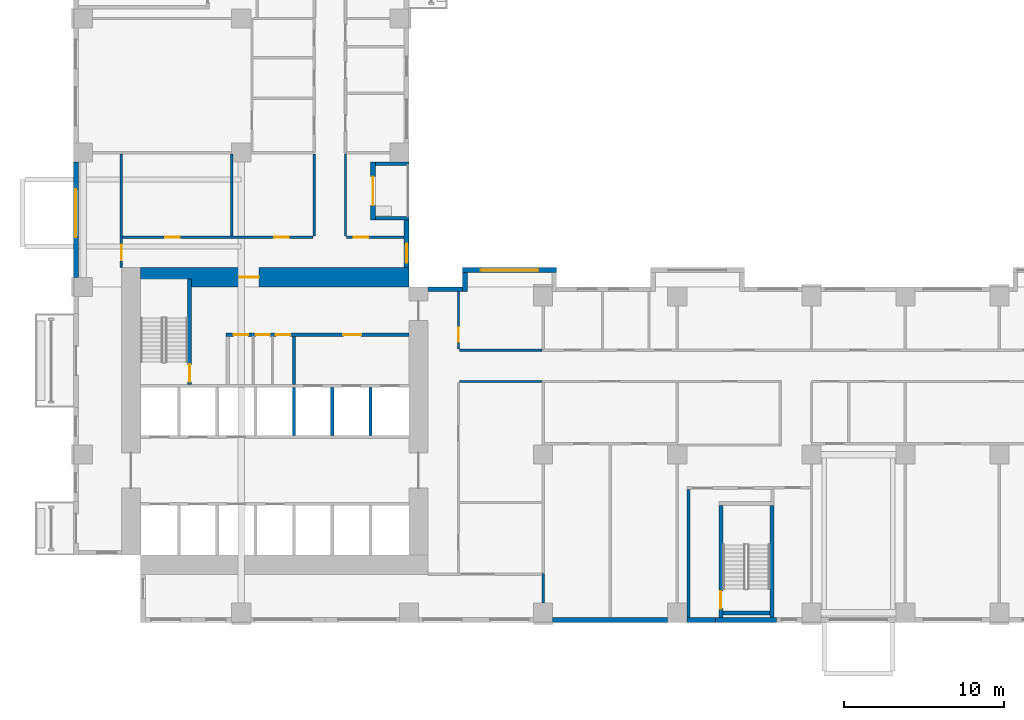
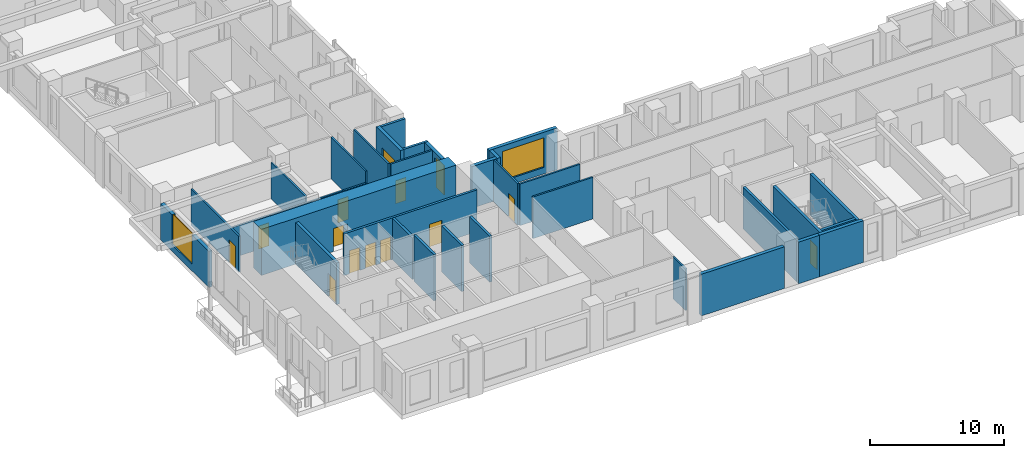
# One storey, part 3 of 14: 32 walls, 13 doors, 3 windows, 16 openings.
"""IFC4 building model written with IfcOpenShell, lengths in metres."""

from ifc_helpers import new_model, si_unit, direction, frame, frame_2d, origin, place, context, subcontext, project, spatial, rectangle, extrude, source, transform, mapped, material, layer, layer_set, type_object, element, fill, save


model = new_model("IFC4")

# Units and contexts
model_context = context("Model", 3, precision=1e-05, world=origin(), true_north=direction((0.0, 1.0)))
body_context = subcontext(model_context, "Body", "Model", "MODEL_VIEW")
ifc_project = project(units=[si_unit("LENGTHUNIT", "METRE"), si_unit("AREAUNIT", "SQUARE_METRE"), si_unit("VOLUMEUNIT", "CUBIC_METRE"), si_unit("PLANEANGLEUNIT", "RADIAN"), si_unit("MASSUNIT", "GRAM", prefix="KILO")], contexts=[model_context])

# Site, building, storey
site_placement = place(None, origin())
site = spatial("IfcSite", under=ifc_project, at=site_placement, CompositionType="ELEMENT")
building_placement = place(site_placement, origin())
building = spatial("IfcBuilding", under=site, at=building_placement, Name="Aurelian Terraces", CompositionType="ELEMENT")
storey_placement = place(building_placement, frame((0.0, 0.0, 40.5)))
storey = spatial("IfcBuildingStorey", under=building, at=storey_placement, Name="L07", CompositionType="ELEMENT", Elevation=40.5)

# Wall, openings, doors
ifc_material_1 = material(Name="Gypsum board on steel studs", Category="steel")
ifc_layer_1 = layer(ifc_material_1, 0.2)
ifc_layer_set_1 = layer_set([ifc_layer_1], Name="Core partition 200")
wall_type_1 = type_object("IfcWallType", Name="Core partition 200", PredefinedType="PARTITIONING", material=ifc_layer_set_1)
wall_1_placement = place(storey_placement, frame((9.55, 18.0, 0.0), z_axis=(0.0, 0.0, 1.0), x_axis=(1.0, 0.0, 0.0)))
wall_1 = element("IfcWall", 1, at=wall_1_placement, inside=storey, type_object=wall_type_1, Name="L07 core wall CP-NORTH", PredefinedType="PARTITIONING", context=body_context, shape_type="SweptSolid", body=[
    extrude(rectangle(XDim=11.45, YDim=0.2, at=frame_2d((5.725, 0.0))), origin(), (0.0, 0.0, 1.0), 3.8),
])
shared_shape_1 = source(origin(), body_context, "Body", "SweptSolid", [
    extrude(rectangle(XDim=0.9, YDim=2.1, at=frame_2d((0.45, 1.05))), frame((0.0, 0.11, 0.0), z_axis=(0.0, -1.0, 0.0), x_axis=(1.0, 0.0, 0.0)), (0.0, 0.0, 1.0), 0.22),
])
opening_1_placement = place(wall_1_placement, frame((0.475, 0.0, 0.0)))
opening_1 = element("IfcOpeningElement", 2, at=opening_1_placement, cuts=wall_1, Name="Opening 61011", PredefinedType="OPENING", context=body_context, shape_type="MappedRepresentation", body=[
    mapped(shared_shape_1, transform((0.0, 0.0, 0.0), scale=1.0)),
])
opening_2_placement = place(wall_1_placement, frame((1.85, 0.0, 0.0)))
opening_2 = element("IfcOpeningElement", 3, at=opening_2_placement, cuts=wall_1, Name="Opening 61012", PredefinedType="OPENING", context=body_context, shape_type="MappedRepresentation", body=[
    mapped(shared_shape_1, transform((0.0, 0.0, 0.0), scale=1.0)),
])
opening_3_placement = place(wall_1_placement, frame((3.125, 0.0, 0.0)))
opening_3 = element("IfcOpeningElement", 4, at=opening_3_placement, cuts=wall_1, Name="Opening 61013", PredefinedType="OPENING", context=body_context, shape_type="MappedRepresentation", body=[
    mapped(shared_shape_1, transform((0.0, 0.0, 0.0), scale=1.0)),
])
shared_shape_2 = source(origin(), body_context, "Body", "SweptSolid", [
    extrude(rectangle(XDim=1.1, YDim=2.1, at=frame_2d((0.55, 1.05))), frame((0.0, 0.11, 0.0), z_axis=(0.0, -1.0, 0.0), x_axis=(1.0, 0.0, 0.0)), (0.0, 0.0, 1.0), 0.22),
])
opening_4_placement = place(wall_1_placement, frame((7.35, 0.0, 0.0)))
opening_4 = element("IfcOpeningElement", 5, at=opening_4_placement, cuts=wall_1, Name="Opening 61014", PredefinedType="OPENING", context=body_context, shape_type="MappedRepresentation", body=[
    mapped(shared_shape_2, transform((0.0, 0.0, 0.0), scale=1.0)),
])
ifc_material_2 = material(Name="Steel door leaf", Category="steel")
door_type_1 = type_object("IfcDoorType", Name="Core service door 900x2100 right", OperationType="SINGLE_SWING_RIGHT", PredefinedType="DOOR", material=ifc_material_2)
shared_shape_3 = source(origin(), body_context, "Body", "SweptSolid", [
    extrude(rectangle(XDim=0.9, YDim=2.1, at=frame_2d((0.45, 1.05))), frame((0.0, 0.025, 0.0), z_axis=(0.0, -1.0, 0.0), x_axis=(1.0, 0.0, 0.0)), (0.0, 0.0, 1.0), 0.05),
])
door_1_placement = place(opening_1_placement, origin())
door_1 = element("IfcDoor", 6, at=door_1_placement, inside=storey, type_object=door_type_1, Name="Room door 61011", OperationType="SINGLE_SWING_RIGHT", OverallHeight=2.1, OverallWidth=0.9, PredefinedType="DOOR", context=body_context, shape_type="MappedRepresentation", body=[
    mapped(shared_shape_3, transform((0.0, 0.0, 0.0), scale=1.0)),
])
fill(opening_1, door_1)
door_type_2 = type_object("IfcDoorType", Name="Core riser door 900x2100", OperationType="SINGLE_SWING_LEFT", PredefinedType="DOOR", material=ifc_material_2)
door_2_placement = place(opening_2_placement, origin())
door_2 = element("IfcDoor", 7, at=door_2_placement, inside=storey, type_object=door_type_2, Name="Room door 61012", OperationType="SINGLE_SWING_LEFT", OverallHeight=2.1, OverallWidth=0.9, PredefinedType="DOOR", context=body_context, shape_type="MappedRepresentation", body=[
    mapped(shared_shape_3, transform((0.0, 0.0, 0.0), scale=1.0)),
])
fill(opening_2, door_2)
door_3_placement = place(opening_3_placement, origin())
door_3 = element("IfcDoor", 8, at=door_3_placement, inside=storey, type_object=door_type_1, Name="Room door 61013", OperationType="SINGLE_SWING_RIGHT", OverallHeight=2.1, OverallWidth=0.9, PredefinedType="DOOR", context=body_context, shape_type="MappedRepresentation", body=[
    mapped(shared_shape_3, transform((0.0, 0.0, 0.0), scale=1.0)),
])
fill(opening_3, door_3)
door_type_3 = type_object("IfcDoorType", Name="Core fire door 1100x2100", OperationType="SINGLE_SWING_LEFT", PredefinedType="DOOR", material=ifc_material_2)
shared_shape_4 = source(origin(), body_context, "Body", "SweptSolid", [
    extrude(rectangle(XDim=1.1, YDim=2.1, at=frame_2d((0.55, 1.05))), frame((0.0, 0.025, 0.0), z_axis=(0.0, -1.0, 0.0), x_axis=(1.0, 0.0, 0.0)), (0.0, 0.0, 1.0), 0.05),
])
door_4_placement = place(opening_4_placement, origin())
door_4 = element("IfcDoor", 9, at=door_4_placement, inside=storey, type_object=door_type_3, Name="Ff lobby door 61014", OperationType="SINGLE_SWING_LEFT", OverallHeight=2.1, OverallWidth=1.1, PredefinedType="DOOR", context=body_context, shape_type="MappedRepresentation", body=[
    mapped(shared_shape_4, transform((0.0, 0.0, 0.0), scale=1.0)),
])
fill(opening_4, door_4)

# Walls
wall_2_placement = place(storey_placement, frame((38.5, 0.3, 0.0), z_axis=(0.0, 0.0, 1.0), x_axis=(0.0, 1.0, 0.0)))
element("IfcWall", 10, at=wall_2_placement, inside=storey, type_object=wall_type_1, Name="L07 core wall ST-S2-VW", PredefinedType="PARTITIONING", context=body_context, shape_type="SweptSolid", body=[
    extrude(rectangle(XDim=8.0, YDim=0.2, at=frame_2d((4.0, 0.0))), origin(), (0.0, 0.0, 1.0), 3.8),
])
ifc_material_3 = material(Name="Terracotta rainscreen cladding", Category="masonry")
ifc_layer_2 = layer(ifc_material_3, 0.2)
ifc_layer_set_2 = layer_set([ifc_layer_2], Name="EW-200")
wall_type_2 = type_object("IfcWallType", Name="EW-200", PredefinedType="STANDARD", material=ifc_layer_set_2)
wall_3_placement = place(storey_placement, frame((21.0, 25.3, 0.0), z_axis=(0.0, 0.0, 1.0), x_axis=(-1.0, 0.0, 0.0)))
element("IfcWall", 11, at=wall_3_placement, inside=storey, type_object=wall_type_2, Name="Loggia return L07 F08.29.1", PredefinedType="STANDARD", context=body_context, shape_type="SweptSolid", body=[
    extrude(rectangle(XDim=2.1, YDim=0.2, at=frame_2d((1.05, 0.0))), origin(), (0.0, 0.0, 1.0), 3.8),
])
ifc_layer_3 = layer(ifc_material_3, 0.3)
ifc_layer_set_3 = layer_set([ifc_layer_3], Name="EW-300")
wall_type_3 = type_object("IfcWallType", Name="EW-300", PredefinedType="STANDARD", material=ifc_layer_set_3)
wall_4_placement = place(storey_placement, frame((38.4, 0.15, 0.0), z_axis=(0.0, 0.0, 1.0), x_axis=(1.0, 0.0, 0.0)))
element("IfcWall", 12, at=wall_4_placement, inside=storey, type_object=wall_type_3, Name="External wall L07 F01.7", PredefinedType="STANDARD", context=body_context, shape_type="SweptSolid", body=[
    extrude(rectangle(XDim=1.8, YDim=0.3, at=frame_2d((0.9, 0.0))), origin(), (0.0, 0.0, 1.0), 3.8),
])
wall_5_placement = place(storey_placement, frame((24.36, 20.85, 0.0), z_axis=(0.0, 0.0, 1.0), x_axis=(-1.0, 0.0, 0.0)))
element("IfcWall", 13, at=wall_5_placement, inside=storey, type_object=wall_type_3, Name="External wall L07 F07.27", PredefinedType="STANDARD", context=body_context, shape_type="SweptSolid", body=[
    extrude(rectangle(XDim=2.16, YDim=0.3, at=frame_2d((1.08, 0.0))), origin(), (0.0, 0.0, 1.0), 3.8),
])

# Wall, opening, window
wall_6_placement = place(storey_placement, frame((20.85, 22.2, 0.0), z_axis=(0.0, 0.0, 1.0), x_axis=(0.0, 1.0, 0.0)))
wall_6 = element("IfcWall", 14, at=wall_6_placement, inside=storey, type_object=wall_type_3, Name="External wall L07 F08.28", PredefinedType="STANDARD", context=body_context, shape_type="SweptSolid", body=[
    extrude(rectangle(XDim=3.0, YDim=0.3, at=frame_2d((1.5, 0.0))), origin(), (0.0, 0.0, 1.0), 3.8),
])
shared_shape_5 = source(origin(), body_context, "Body", "SweptSolid", [
    extrude(rectangle(XDim=1.2, YDim=2.7, at=frame_2d((0.6, 1.35))), frame((0.0, 0.16, 0.0), z_axis=(0.0, -1.0, 0.0), x_axis=(1.0, 0.0, 0.0)), (0.0, 0.0, 1.0), 0.32),
])
opening_5_placement = place(wall_6_placement, frame((0.3, 0.0, 0.6)))
opening_5 = element("IfcOpeningElement", 15, at=opening_5_placement, cuts=wall_6, Name="Opening W1227", PredefinedType="OPENING", context=body_context, shape_type="MappedRepresentation", body=[
    mapped(shared_shape_5, transform((0.0, 0.0, 0.0), scale=1.0)),
])
ifc_material_4 = material(Name="Clear glazing", Category="glass")
window_type_1 = type_object("IfcWindowType", Name="W-1200x2700", PartitioningType="SINGLE_PANEL", PredefinedType="WINDOW", material=ifc_material_4)
shared_shape_6 = source(origin(), body_context, "Body", "SweptSolid", [
    extrude(rectangle(XDim=1.2, YDim=2.7, at=frame_2d((0.6, 1.35))), frame((0.0, 0.03, 0.0), z_axis=(0.0, -1.0, 0.0), x_axis=(1.0, 0.0, 0.0)), (0.0, 0.0, 1.0), 0.06),
])
window_1_placement = place(opening_5_placement, origin())
window_1 = element("IfcWindow", 16, at=window_1_placement, inside=storey, type_object=window_type_1, Name="Window L07 L07-F08-28-0", OverallHeight=2.7, OverallWidth=1.2, PartitioningType="SINGLE_PANEL", PredefinedType="WINDOW", context=body_context, shape_type="MappedRepresentation", body=[
    mapped(shared_shape_6, transform((0.0, 0.0, 0.0), scale=1.0)),
])
fill(opening_5, window_1)

wall_7_placement = place(storey_placement, frame((0.15, 28.8, 0.0), z_axis=(0.0, 0.0, 1.0), x_axis=(0.0, -1.0, 0.0)))
wall_7 = element("IfcWall", 17, at=wall_7_placement, inside=storey, type_object=wall_type_3, Name="External wall L07 F14.44", PredefinedType="STANDARD", context=body_context, shape_type="SweptSolid", body=[
    extrude(rectangle(XDim=7.2, YDim=0.3, at=frame_2d((3.6, 0.0))), origin(), (0.0, 0.0, 1.0), 3.3),
])
shared_shape_7 = source(origin(), body_context, "Body", "SweptSolid", [
    extrude(rectangle(XDim=3.0, YDim=2.7, at=frame_2d((1.5, 1.35))), frame((0.0, 0.16, 0.0), z_axis=(0.0, -1.0, 0.0), x_axis=(1.0, 0.0, 0.0)), (0.0, 0.0, 1.0), 0.32),
])
opening_6_placement = place(wall_7_placement, frame((1.68, 0.0, 0.6)))
opening_6 = element("IfcOpeningElement", 18, at=opening_6_placement, cuts=wall_7, Name="Opening W3027", PredefinedType="OPENING", context=body_context, shape_type="MappedRepresentation", body=[
    mapped(shared_shape_7, transform((0.0, 0.0, 0.0), scale=1.0)),
])
window_type_2 = type_object("IfcWindowType", Name="W-3000x2700", PartitioningType="SINGLE_PANEL", PredefinedType="WINDOW", material=ifc_material_4)
shared_shape_8 = source(origin(), body_context, "Body", "SweptSolid", [
    extrude(rectangle(XDim=3.0, YDim=2.7, at=frame_2d((1.5, 1.35))), frame((0.0, 0.03, 0.0), z_axis=(0.0, -1.0, 0.0), x_axis=(1.0, 0.0, 0.0)), (0.0, 0.0, 1.0), 0.06),
])
window_2_placement = place(opening_6_placement, origin())
window_2 = element("IfcWindow", 19, at=window_2_placement, inside=storey, type_object=window_type_2, Name="Window L07 L07-F14-44-8", OverallHeight=2.7, OverallWidth=3.0, PartitioningType="SINGLE_PANEL", PredefinedType="WINDOW", context=body_context, shape_type="MappedRepresentation", body=[
    mapped(shared_shape_8, transform((0.0, 0.0, 0.0), scale=1.0)),
])
fill(opening_6, window_2)

# Wall, opening, door
ifc_layer_4 = layer(ifc_material_1, 0.15)
ifc_layer_set_4 = layer_set([ifc_layer_4], Name="Partition 150")
wall_type_4 = type_object("IfcWallType", Name="Partition 150", PredefinedType="PARTITIONING", material=ifc_layer_set_4)
wall_8_placement = place(storey_placement, frame((24.1, 20.7, 0.0), z_axis=(0.0, 0.0, 1.0), x_axis=(0.0, -1.0, 0.0)))
wall_8 = element("IfcWall", 20, at=wall_8_placement, inside=storey, type_object=wall_type_4, Name="Partition", PredefinedType="PARTITIONING", context=body_context, shape_type="SweptSolid", body=[
    extrude(rectangle(XDim=3.6, YDim=0.15, at=frame_2d((1.8, 0.0))), origin(), (0.0, 0.0, 1.0), 3.8),
])
shared_shape_9 = source(origin(), body_context, "Body", "SweptSolid", [
    extrude(rectangle(XDim=0.9, YDim=2.1, at=frame_2d((0.45, 1.05))), frame((0.0, 0.085, 0.0), z_axis=(0.0, -1.0, 0.0), x_axis=(1.0, 0.0, 0.0)), (0.0, 0.0, 1.0), 0.17),
])
opening_7_placement = place(wall_8_placement, frame((2.25, 0.0, 0.0)))
opening_7 = element("IfcOpeningElement", 21, at=opening_7_placement, cuts=wall_8, Name="Opening 707003", PredefinedType="OPENING", context=body_context, shape_type="MappedRepresentation", body=[
    mapped(shared_shape_9, transform((0.0, 0.0, 0.0), scale=1.0)),
])
ifc_material_5 = material(Name="Timber door leaf", Category="wood")
door_type_4 = type_object("IfcDoorType", Name="Room door 900x2100 left", OperationType="SINGLE_SWING_LEFT", PredefinedType="DOOR", material=ifc_material_5)
door_5_placement = place(opening_7_placement, origin())
door_5 = element("IfcDoor", 22, at=door_5_placement, inside=storey, type_object=door_type_4, Name="Door 707003", OperationType="SINGLE_SWING_LEFT", OverallHeight=2.1, OverallWidth=0.9, PredefinedType="DOOR", context=body_context, shape_type="MappedRepresentation", body=[
    mapped(shared_shape_3, transform((0.0, 0.0, 0.0), scale=1.0)),
])
fill(opening_7, door_5)

# Wall
wall_9_placement = place(storey_placement, frame((29.4, 1.199, 0.0), z_axis=(0.0, 0.0, 1.0), x_axis=(0.0, 1.0, 0.0)))
element("IfcWall", 23, at=wall_9_placement, inside=storey, type_object=wall_type_4, Name="Partition", PredefinedType="PARTITIONING", context=body_context, shape_type="SweptSolid", body=[
    extrude(rectangle(XDim=1.856, YDim=0.15, at=frame_2d((0.928, 0.0))), origin(), (0.0, 0.0, 1.0), 3.8),
])

# Wall, openings, doors
wall_10_placement = place(storey_placement, frame((3.075, 24.1, 0.0), z_axis=(0.0, 0.0, 1.0), x_axis=(1.0, 0.0, 0.0)))
wall_10 = element("IfcWall", 24, at=wall_10_placement, inside=storey, type_object=wall_type_4, Name="Partition", PredefinedType="PARTITIONING", context=body_context, shape_type="SweptSolid", body=[
    extrude(rectangle(XDim=11.925, YDim=0.15, at=frame_2d((5.9625, 0.0))), origin(), (0.0, 0.0, 1.0), 2.8),
])
opening_8_placement = place(wall_10_placement, frame((2.6625, 0.0, 0.0)))
opening_8 = element("IfcOpeningElement", 25, at=opening_8_placement, cuts=wall_10, Name="Opening 707028", PredefinedType="OPENING", context=body_context, shape_type="MappedRepresentation", body=[
    mapped(shared_shape_9, transform((0.0, 0.0, 0.0), scale=1.0)),
])
opening_9_placement = place(wall_10_placement, frame((9.5, 0.0, 0.0)))
opening_9 = element("IfcOpeningElement", 26, at=opening_9_placement, cuts=wall_10, Name="Opening 707029", PredefinedType="OPENING", context=body_context, shape_type="MappedRepresentation", body=[
    mapped(shared_shape_9, transform((0.0, 0.0, 0.0), scale=1.0)),
])
door_6_placement = place(opening_8_placement, origin())
door_6 = element("IfcDoor", 27, at=door_6_placement, inside=storey, type_object=door_type_4, Name="Door 707028", OperationType="SINGLE_SWING_LEFT", OverallHeight=2.1, OverallWidth=0.9, PredefinedType="DOOR", context=body_context, shape_type="MappedRepresentation", body=[
    mapped(shared_shape_3, transform((0.0, 0.0, 0.0), scale=1.0)),
])
fill(opening_8, door_6)
door_type_5 = type_object("IfcDoorType", Name="Room door 900x2100 right", OperationType="SINGLE_SWING_RIGHT", PredefinedType="DOOR", material=ifc_material_5)
door_7_placement = place(opening_9_placement, origin())
door_7 = element("IfcDoor", 28, at=door_7_placement, inside=storey, type_object=door_type_5, Name="Door 707029", OperationType="SINGLE_SWING_RIGHT", OverallHeight=2.1, OverallWidth=0.9, PredefinedType="DOOR", context=body_context, shape_type="MappedRepresentation", body=[
    mapped(shared_shape_3, transform((0.0, 0.0, 0.0), scale=1.0)),
])
fill(opening_9, door_7)

# Wall
wall_11_placement = place(storey_placement, frame((9.9, 24.175, 0.0), z_axis=(0.0, 0.0, 1.0), x_axis=(0.0, 1.0, 0.0)))
element("IfcWall", 29, at=wall_11_placement, inside=storey, type_object=wall_type_4, Name="Partition", PredefinedType="PARTITIONING", context=body_context, shape_type="SweptSolid", body=[
    extrude(rectangle(XDim=5.15, YDim=0.15, at=frame_2d((2.575, 0.0))), origin(), (0.0, 0.0, 1.0), 3.3),
])

# Wall, opening, door
wall_12_placement = place(storey_placement, frame((3.0, 29.325, 0.0), z_axis=(0.0, 0.0, 1.0), x_axis=(0.0, -1.0, 0.0)))
wall_12 = element("IfcWall", 30, at=wall_12_placement, inside=storey, type_object=wall_type_4, Name="Partition", PredefinedType="PARTITIONING", context=body_context, shape_type="SweptSolid", body=[
    extrude(rectangle(XDim=7.125, YDim=0.15, at=frame_2d((3.5625, 0.0))), origin(), (0.0, 0.0, 1.0), 3.3),
])
shared_shape_10 = source(origin(), body_context, "Body", "SweptSolid", [
    extrude(rectangle(XDim=1.0, YDim=2.1, at=frame_2d((0.5, 1.05))), frame((0.0, 0.085, 0.0), z_axis=(0.0, -1.0, 0.0), x_axis=(1.0, 0.0, 0.0)), (0.0, 0.0, 1.0), 0.17),
])
opening_10_placement = place(wall_12_placement, frame((5.675, 0.0, 0.0)))
opening_10 = element("IfcOpeningElement", 31, at=opening_10_placement, cuts=wall_12, Name="Opening 707031", PredefinedType="OPENING", context=body_context, shape_type="MappedRepresentation", body=[
    mapped(shared_shape_10, transform((0.0, 0.0, 0.0), scale=1.0)),
])
door_type_6 = type_object("IfcDoorType", Name="Room door 1000x2100 right", OperationType="SINGLE_SWING_RIGHT", PredefinedType="DOOR", material=ifc_material_5)
shared_shape_11 = source(origin(), body_context, "Body", "SweptSolid", [
    extrude(rectangle(XDim=1.0, YDim=2.1, at=frame_2d((0.5, 1.05))), frame((0.0, 0.025, 0.0), z_axis=(0.0, -1.0, 0.0), x_axis=(1.0, 0.0, 0.0)), (0.0, 0.0, 1.0), 0.05),
])
door_8_placement = place(opening_10_placement, origin())
door_8 = element("IfcDoor", 32, at=door_8_placement, inside=storey, type_object=door_type_6, Name="Door 707031", OperationType="SINGLE_SWING_RIGHT", OverallHeight=2.1, OverallWidth=1.0, PredefinedType="DOOR", context=body_context, shape_type="MappedRepresentation", body=[
    mapped(shared_shape_11, transform((0.0, 0.0, 0.0), scale=1.0)),
])
fill(opening_10, door_8)

# Wall
ifc_material_6 = material(Name="Concrete fc' 40 MPa", Category="concrete")
ifc_layer_5 = layer(ifc_material_6, 0.3)
ifc_layer_set_5 = layer_set([ifc_layer_5], Name="STAIR BAY WALL 300")
wall_type_5 = type_object("IfcWallType", Name="STAIR BAY WALL 300", PredefinedType="SOLIDWALL", material=ifc_layer_set_5)
wall_13_placement = place(storey_placement, frame((40.2, 0.15, 0.0), z_axis=(0.0, 0.0, 1.0), x_axis=(1.0, 0.0, 0.0)))
element("IfcWall", 33, at=wall_13_placement, inside=storey, type_object=wall_type_5, Name="Stair bay wall L07 F01.7", PredefinedType="SOLIDWALL", context=body_context, shape_type="SweptSolid", body=[
    extrude(rectangle(XDim=3.8, YDim=0.3, at=frame_2d((1.9, 0.0))), origin(), (0.0, 0.0, 1.0), 3.8),
])

# Wall, opening, door
ifc_layer_6 = layer(ifc_material_6, 0.25)
ifc_layer_set_6 = layer_set([ifc_layer_6], Name="Stair enclosure wall 250")
wall_type_6 = type_object("IfcWallType", Name="Stair enclosure wall 250", PredefinedType="SOLIDWALL", material=ifc_layer_set_6)
wall_14_placement = place(storey_placement, frame((7.275, 14.9, 0.0), z_axis=(0.0, 0.0, 1.0), x_axis=(0.0, 1.0, 0.0)))
wall_14 = element("IfcWall", 34, at=wall_14_placement, inside=storey, type_object=wall_type_6, Name="L07 core wall ST-S1-E", PredefinedType="SOLIDWALL", context=body_context, shape_type="SweptSolid", body=[
    extrude(rectangle(XDim=6.6, YDim=0.25, at=frame_2d((3.3, 0.0))), origin(), (0.0, 0.0, 1.0), 3.8),
])
shared_shape_12 = source(origin(), body_context, "Body", "SweptSolid", [
    extrude(rectangle(XDim=1.1, YDim=2.1, at=frame_2d((0.55, 1.05))), frame((0.0, 0.135, 0.0), z_axis=(0.0, -1.0, 0.0), x_axis=(1.0, 0.0, 0.0)), (0.0, 0.0, 1.0), 0.27),
])
opening_11_placement = place(wall_14_placement, frame((0.15, 0.0, 0.0)))
opening_11 = element("IfcOpeningElement", 35, at=opening_11_placement, cuts=wall_14, Name="Opening 61010", PredefinedType="OPENING", context=body_context, shape_type="MappedRepresentation", body=[
    mapped(shared_shape_12, transform((0.0, 0.0, 0.0), scale=1.0)),
])
door_9_placement = place(opening_11_placement, origin())
door_9 = element("IfcDoor", 36, at=door_9_placement, inside=storey, type_object=door_type_3, Name="Stair door 61010", OperationType="SINGLE_SWING_LEFT", OverallHeight=2.1, OverallWidth=1.1, PredefinedType="DOOR", context=body_context, shape_type="MappedRepresentation", body=[
    mapped(shared_shape_4, transform((0.0, 0.0, 0.0), scale=1.0)),
])
fill(opening_11, door_9)

wall_15_placement = place(storey_placement, frame((40.525, 0.3, 0.0), z_axis=(0.0, 0.0, 1.0), x_axis=(0.0, 1.0, 0.0)))
wall_15 = element("IfcWall", 37, at=wall_15_placement, inside=storey, type_object=wall_type_6, Name="L07 core wall ST-S2-W", PredefinedType="SOLIDWALL", context=body_context, shape_type="SweptSolid", body=[
    extrude(rectangle(XDim=7.0, YDim=0.25, at=frame_2d((3.5, 0.0))), origin(), (0.0, 0.0, 1.0), 3.8),
])
opening_12_placement = place(wall_15_placement, frame((0.55, 0.0, 0.0)))
opening_12 = element("IfcOpeningElement", 38, at=opening_12_placement, cuts=wall_15, Name="Opening 61015", PredefinedType="OPENING", context=body_context, shape_type="MappedRepresentation", body=[
    mapped(shared_shape_12, transform((0.0, 0.0, 0.0), scale=1.0)),
])
door_type_7 = type_object("IfcDoorType", Name="Core fire door 1100x2100 right", OperationType="SINGLE_SWING_RIGHT", PredefinedType="DOOR", material=ifc_material_2)
door_10_placement = place(opening_12_placement, origin())
door_10 = element("IfcDoor", 39, at=door_10_placement, inside=storey, type_object=door_type_7, Name="Stair door 61015", OperationType="SINGLE_SWING_RIGHT", OverallHeight=2.1, OverallWidth=1.1, PredefinedType="DOOR", context=body_context, shape_type="MappedRepresentation", body=[
    mapped(shared_shape_4, transform((0.0, 0.0, 0.0), scale=1.0)),
])
fill(opening_12, door_10)

# Wall
wall_16_placement = place(storey_placement, frame((40.65, 0.575, 0.0), z_axis=(0.0, 0.0, 1.0), x_axis=(1.0, 0.0, 0.0)))
element("IfcWall", 40, at=wall_16_placement, inside=storey, type_object=wall_type_6, Name="L07 core wall ST-S2-SS", PredefinedType="SOLIDWALL", context=body_context, shape_type="SweptSolid", body=[
    extrude(rectangle(XDim=2.95, YDim=0.25, at=frame_2d((1.475, 0.0))), origin(), (0.0, 0.0, 1.0), 3.8),
])

# Wall, opening, door
ifc_material_7 = material(Name="Concrete fc' 83 MPa", Category="concrete")
ifc_layer_7 = layer(ifc_material_7, 1.2)
ifc_layer_set_7 = layer_set([ifc_layer_7], Name="CORE WALL 1200 FC83")
wall_type_7 = type_object("IfcWallType", Name="CORE WALL 1200 FC83", PredefinedType="SHEAR", material=ifc_layer_set_7)
shared_shape_13 = source(origin(), body_context, "Body", "SweptSolid", [
    extrude(rectangle(XDim=16.8, YDim=1.2, at=frame_2d((8.4, 0.0))), origin(), (0.0, 0.0, 1.0), 4.2),
])
wall_17_placement = place(storey_placement, frame((4.2, 21.6, 0.0), z_axis=(0.0, 0.0, 1.0), x_axis=(1.0, 0.0, 0.0)))
wall_17 = element("IfcWall", 41, at=wall_17_placement, inside=storey, type_object=wall_type_7, Name="Core wall N L07", PredefinedType="SHEAR", context=body_context, shape_type="MappedRepresentation", body=[
    mapped(shared_shape_13, transform((0.0, 0.0, 0.0), scale=1.0)),
])
shared_shape_14 = source(origin(), body_context, "Body", "SweptSolid", [
    extrude(rectangle(XDim=1.2, YDim=2.1, at=frame_2d((0.6, 1.05))), frame((0.0, 0.61, 0.0), z_axis=(0.0, -1.0, 0.0), x_axis=(1.0, 0.0, 0.0)), (0.0, 0.0, 1.0), 1.22),
])
opening_13_placement = place(wall_17_placement, frame((6.2, 0.0, 0.0)))
opening_13 = element("IfcOpeningElement", 42, at=opening_13_placement, cuts=wall_17, Name="Opening 61023", PredefinedType="OPENING", context=body_context, shape_type="MappedRepresentation", body=[
    mapped(shared_shape_14, transform((0.0, 0.0, 0.0), scale=1.0)),
])
door_type_8 = type_object("IfcDoorType", Name="Core fire door 1200x2100", OperationType="SINGLE_SWING_LEFT", PredefinedType="DOOR", material=ifc_material_2)
shared_shape_15 = source(origin(), body_context, "Body", "SweptSolid", [
    extrude(rectangle(XDim=1.2, YDim=2.1, at=frame_2d((0.6, 1.05))), frame((0.0, 0.025, 0.0), z_axis=(0.0, -1.0, 0.0), x_axis=(1.0, 0.0, 0.0)), (0.0, 0.0, 1.0), 0.05),
])
door_11_placement = place(opening_13_placement, origin())
door_11 = element("IfcDoor", 43, at=door_11_placement, inside=storey, type_object=door_type_8, Name="Core door 61023", OperationType="SINGLE_SWING_LEFT", OverallHeight=2.1, OverallWidth=1.2, PredefinedType="DOOR", context=body_context, shape_type="MappedRepresentation", body=[
    mapped(shared_shape_15, transform((0.0, 0.0, 0.0), scale=1.0)),
])
fill(opening_13, door_11)

# Walls
shared_shape_16 = source(origin(), body_context, "Body", "SweptSolid", [
    extrude(rectangle(XDim=7.2, YDim=0.3, at=frame_2d((3.6, 0.0))), origin(), (0.0, 0.0, 1.0), 3.8),
])
wall_18_placement = place(storey_placement, frame((30.0, 0.15, 0.0), z_axis=(0.0, 0.0, 1.0), x_axis=(1.0, 0.0, 0.0)))
element("IfcWall", 44, at=wall_18_placement, inside=storey, type_object=wall_type_3, Name="External wall L07 F01.6", PredefinedType="STANDARD", context=body_context, shape_type="MappedRepresentation", body=[
    mapped(shared_shape_16, transform((0.0, 0.0, 0.0), scale=1.0)),
])
shared_shape_17 = source(origin(), body_context, "Body", "SweptSolid", [
    extrude(rectangle(XDim=1.2, YDim=0.3, at=frame_2d((0.6, 0.0))), origin(), (0.0, 0.0, 1.0), 3.8),
])
wall_19_placement = place(storey_placement, frame((24.51, 20.7, 0.0), z_axis=(0.0, 0.0, 1.0), x_axis=(0.0, 1.0, 0.0)))
element("IfcWall", 45, at=wall_19_placement, inside=storey, type_object=wall_type_3, Name="Bay return L07 F07.26.2", PredefinedType="STANDARD", context=body_context, shape_type="MappedRepresentation", body=[
    mapped(shared_shape_17, transform((0.0, 0.0, 0.0), scale=1.0)),
])

# Wall, opening, window
shared_shape_18 = source(origin(), body_context, "Body", "SweptSolid", [
    extrude(rectangle(XDim=5.88, YDim=0.3, at=frame_2d((2.94, 0.0))), origin(), (0.0, 0.0, 1.0), 3.8),
])
wall_20_placement = place(storey_placement, frame((30.24, 22.05, 0.0), z_axis=(0.0, 0.0, 1.0), x_axis=(-1.0, 0.0, 0.0)))
wall_20 = element("IfcWall", 46, at=wall_20_placement, inside=storey, type_object=wall_type_3, Name="Bay wall L07 F07.26", PredefinedType="STANDARD", context=body_context, shape_type="MappedRepresentation", body=[
    mapped(shared_shape_18, transform((0.0, 0.0, 0.0), scale=1.0)),
])
shared_shape_19 = source(origin(), body_context, "Body", "SweptSolid", [
    extrude(rectangle(XDim=3.6, YDim=2.7, at=frame_2d((1.8, 1.35))), frame((0.0, 0.16, 0.0), z_axis=(0.0, -1.0, 0.0), x_axis=(1.0, 0.0, 0.0)), (0.0, 0.0, 1.0), 0.32),
])
opening_14_placement = place(wall_20_placement, frame((1.14, 0.0, 0.6)))
opening_14 = element("IfcOpeningElement", 47, at=opening_14_placement, cuts=wall_20, Name="Opening W3627", PredefinedType="OPENING", context=body_context, shape_type="MappedRepresentation", body=[
    mapped(shared_shape_19, transform((0.0, 0.0, 0.0), scale=1.0)),
])
window_type_3 = type_object("IfcWindowType", Name="W-3600x2700", PartitioningType="SINGLE_PANEL", PredefinedType="WINDOW", material=ifc_material_4)
shared_shape_20 = source(origin(), body_context, "Body", "SweptSolid", [
    extrude(rectangle(XDim=3.6, YDim=2.7, at=frame_2d((1.8, 1.35))), frame((0.0, 0.03, 0.0), z_axis=(0.0, -1.0, 0.0), x_axis=(1.0, 0.0, 0.0)), (0.0, 0.0, 1.0), 0.06),
])
window_3_placement = place(opening_14_placement, origin())
window_3 = element("IfcWindow", 48, at=window_3_placement, inside=storey, type_object=window_type_3, Name="Window L07 L07-F07-26-0", OverallHeight=2.7, OverallWidth=3.6, PartitioningType="SINGLE_PANEL", PredefinedType="WINDOW", context=body_context, shape_type="MappedRepresentation", body=[
    mapped(shared_shape_20, transform((0.0, 0.0, 0.0), scale=1.0)),
])
fill(opening_14, window_3)

# Wall, opening, door
shared_shape_21 = source(origin(), body_context, "Body", "SweptSolid", [
    extrude(rectangle(XDim=3.6, YDim=0.3, at=frame_2d((1.8, 0.0))), origin(), (0.0, 0.0, 1.0), 3.8),
])
wall_21_placement = place(storey_placement, frame((18.75, 25.2, 0.0), z_axis=(0.0, 0.0, 1.0), x_axis=(0.0, 1.0, 0.0)))
wall_21 = element("IfcWall", 49, at=wall_21_placement, inside=storey, type_object=wall_type_3, Name="Loggia wall L07 F08.29", PredefinedType="STANDARD", context=body_context, shape_type="MappedRepresentation", body=[
    mapped(shared_shape_21, transform((0.0, 0.0, 0.0), scale=1.0)),
])
shared_shape_22 = source(origin(), body_context, "Body", "SweptSolid", [
    extrude(rectangle(XDim=1.8, YDim=2.4, at=frame_2d((0.9, 1.2))), frame((0.0, 0.16, 0.0), z_axis=(0.0, -1.0, 0.0), x_axis=(1.0, 0.0, 0.0)), (0.0, 0.0, 1.0), 0.32),
])
opening_15_placement = place(wall_21_placement, frame((0.9, 0.0, 0.0)))
opening_15 = element("IfcOpeningElement", 50, at=opening_15_placement, cuts=wall_21, Name="Opening 80702", PredefinedType="OPENING", context=body_context, shape_type="MappedRepresentation", body=[
    mapped(shared_shape_22, transform((0.0, 0.0, 0.0), scale=1.0)),
])
door_type_9 = type_object("IfcDoorType", Name="BD-1800x2400", OperationType="SLIDING_TO_LEFT", PredefinedType="DOOR", material=ifc_material_4)
shared_shape_23 = source(origin(), body_context, "Body", "SweptSolid", [
    extrude(rectangle(XDim=1.8, YDim=2.4, at=frame_2d((0.9, 1.2))), frame((0.0, 0.025, 0.0), z_axis=(0.0, -1.0, 0.0), x_axis=(1.0, 0.0, 0.0)), (0.0, 0.0, 1.0), 0.05),
])
door_12_placement = place(opening_15_placement, origin())
door_12 = element("IfcDoor", 51, at=door_12_placement, inside=storey, type_object=door_type_9, Name="Balcony door L07 F08.29", OperationType="SLIDING_TO_LEFT", OverallHeight=2.4, OverallWidth=1.8, PredefinedType="DOOR", context=body_context, shape_type="MappedRepresentation", body=[
    mapped(shared_shape_23, transform((0.0, 0.0, 0.0), scale=1.0)),
])
fill(opening_15, door_12)

# Walls
shared_shape_24 = source(origin(), body_context, "Body", "SweptSolid", [
    extrude(rectangle(XDim=2.1, YDim=0.2, at=frame_2d((1.05, 0.0))), origin(), (0.0, 0.0, 1.0), 3.8),
])
wall_22_placement = place(storey_placement, frame((21.0, 28.7, 0.0), z_axis=(0.0, 0.0, 1.0), x_axis=(-1.0, 0.0, 0.0)))
element("IfcWall", 52, at=wall_22_placement, inside=storey, type_object=wall_type_2, Name="Loggia return L07 F08.29.2", PredefinedType="STANDARD", context=body_context, shape_type="MappedRepresentation", body=[
    mapped(shared_shape_24, transform((0.0, 0.0, 0.0), scale=1.0)),
])
ifc_layer_8 = layer(ifc_material_6, 0.2)
ifc_layer_set_8 = layer_set([ifc_layer_8], Name="Lift shaft wall 200")
wall_type_8 = type_object("IfcWallType", Name="Lift shaft wall 200", PredefinedType="SOLIDWALL", material=ifc_layer_set_8)
shared_shape_25 = source(origin(), body_context, "Body", "SweptSolid", [
    extrude(rectangle(XDim=3.0, YDim=0.2, at=frame_2d((1.5, 0.0))), origin(), (0.0, 0.0, 1.0), 4.2),
])
for number, where, z_axis, x_axis, name in (
    (53, (13.8, 11.7, 0.0), (0.0, 0.0, 1.0), (0.0, 1.0, 0.0), "L07 core wall CD-B4"),
    (54, (16.2, 11.7, 0.0), (0.0, 0.0, 1.0), (0.0, 1.0, 0.0), "L07 core wall CD-B5"),
    (55, (18.6, 11.7, 0.0), (0.0, 0.0, 1.0), (0.0, 1.0, 0.0), "L07 core wall CD-B6"),
):
    element("IfcWall", number, at=place(storey_placement, frame(where, z_axis=z_axis, x_axis=x_axis)), inside=storey, type_object=wall_type_8, Name=name, PredefinedType="SOLIDWALL", context=body_context, shape_type="MappedRepresentation", body=[
        mapped(shared_shape_25, transform((0.0, 0.0, 0.0), scale=1.0)),
    ])
shared_shape_26 = source(origin(), body_context, "Body", "SweptSolid", [
    extrude(rectangle(XDim=3.0, YDim=0.2, at=frame_2d((1.5, 0.0))), origin(), (0.0, 0.0, 1.0), 3.8),
])
wall_23_placement = place(storey_placement, frame((13.8, 14.9, 0.0), z_axis=(0.0, 0.0, 1.0), x_axis=(0.0, 1.0, 0.0)))
element("IfcWall", 56, at=wall_23_placement, inside=storey, type_object=wall_type_1, Name="L07 core wall CP-FFL", PredefinedType="PARTITIONING", context=body_context, shape_type="MappedRepresentation", body=[
    mapped(shared_shape_26, transform((0.0, 0.0, 0.0), scale=1.0)),
])
shared_shape_27 = source(origin(), body_context, "Body", "SweptSolid", [
    extrude(rectangle(XDim=7.0, YDim=0.25, at=frame_2d((3.5, 0.0))), origin(), (0.0, 0.0, 1.0), 3.8),
])
wall_24_placement = place(storey_placement, frame((43.725, 0.3, 0.0), z_axis=(0.0, 0.0, 1.0), x_axis=(0.0, 1.0, 0.0)))
element("IfcWall", 57, at=wall_24_placement, inside=storey, type_object=wall_type_6, Name="L07 core wall ST-S2-E", PredefinedType="SOLIDWALL", context=body_context, shape_type="MappedRepresentation", body=[
    mapped(shared_shape_27, transform((0.0, 0.0, 0.0), scale=1.0)),
])
ifc_layer_9 = layer(ifc_material_1, 0.15)
ifc_layer_set_9 = layer_set([ifc_layer_9], Name="Fire partition 150")
wall_type_9 = type_object("IfcWallType", Name="Fire partition 150", PredefinedType="PARTITIONING", material=ifc_layer_set_9)
shared_shape_28 = source(origin(), body_context, "Body", "SweptSolid", [
    extrude(rectangle(XDim=5.15, YDim=0.15, at=frame_2d((2.575, 0.0))), origin(), (0.0, 0.0, 1.0), 3.8),
])
for number, where, z_axis, x_axis, name in (
    (58, (29.325, 15.075, 0.0), (0.0, 0.0, 1.0), (-1.0, 0.0, 0.0), "Corridor wall"),
    (59, (24.175, 17.025, 0.0), (0.0, 0.0, 1.0), (1.0, 0.0, 0.0), "Corridor wall"),
    (60, (15.075, 24.175, 0.0), (0.0, 0.0, 1.0), (0.0, 1.0, 0.0), "Corridor wall"),
    (61, (17.025, 29.325, 0.0), (0.0, 0.0, 1.0), (0.0, -1.0, 0.0), "Corridor wall"),
):
    element("IfcWall", number, at=place(storey_placement, frame(where, z_axis=z_axis, x_axis=x_axis)), inside=storey, type_object=wall_type_9, Name=name, PredefinedType="PARTITIONING", context=body_context, shape_type="MappedRepresentation", body=[
        mapped(shared_shape_28, transform((0.0, 0.0, 0.0), scale=1.0)),
    ])

# Wall, opening, door
shared_shape_29 = source(origin(), body_context, "Body", "SweptSolid", [
    extrude(rectangle(XDim=3.6, YDim=0.15, at=frame_2d((1.8, 0.0))), origin(), (0.0, 0.0, 1.0), 3.8),
])
wall_25_placement = place(storey_placement, frame((17.1, 24.1, 0.0), z_axis=(0.0, 0.0, 1.0), x_axis=(1.0, 0.0, 0.0)))
wall_25 = element("IfcWall", 62, at=wall_25_placement, inside=storey, type_object=wall_type_4, Name="Partition", PredefinedType="PARTITIONING", context=body_context, shape_type="MappedRepresentation", body=[
    mapped(shared_shape_29, transform((0.0, 0.0, 0.0), scale=1.0)),
])
opening_16_placement = place(wall_25_placement, frame((0.45, 0.0, 0.0)))
opening_16 = element("IfcOpeningElement", 63, at=opening_16_placement, cuts=wall_25, Name="Opening 707030", PredefinedType="OPENING", context=body_context, shape_type="MappedRepresentation", body=[
    mapped(shared_shape_9, transform((0.0, 0.0, 0.0), scale=1.0)),
])
door_13_placement = place(opening_16_placement, origin())
door_13 = element("IfcDoor", 64, at=door_13_placement, inside=storey, type_object=door_type_4, Name="Door 707030", OperationType="SINGLE_SWING_LEFT", OverallHeight=2.1, OverallWidth=0.9, PredefinedType="DOOR", context=body_context, shape_type="MappedRepresentation", body=[
    mapped(shared_shape_3, transform((0.0, 0.0, 0.0), scale=1.0)),
])
fill(opening_16, door_13)

save(model, "model.ifc")
